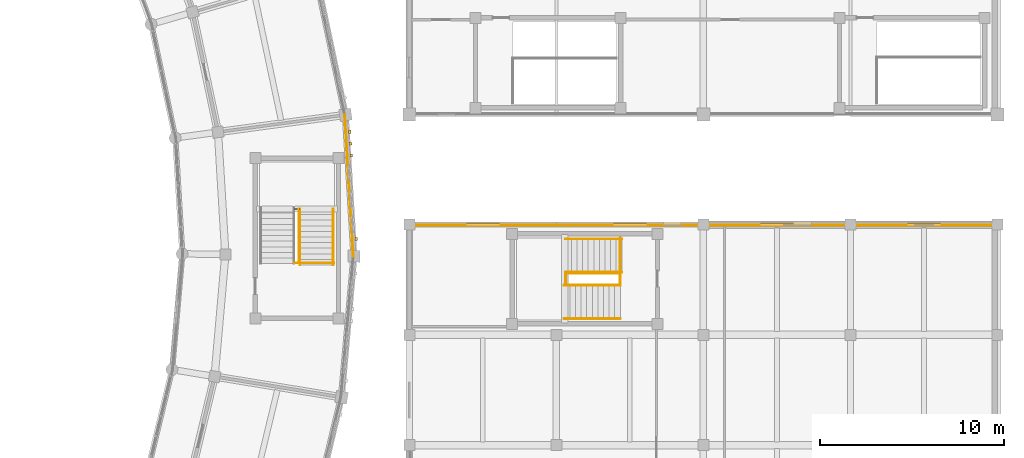
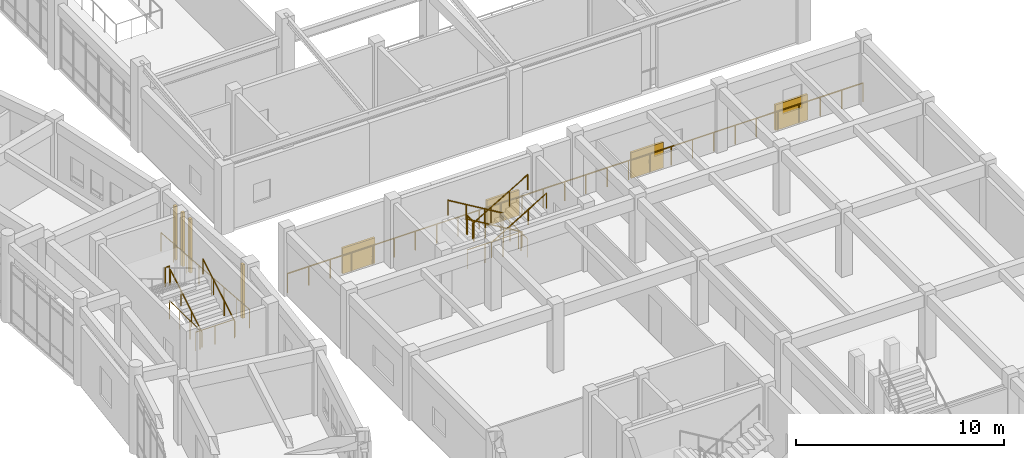
# One storey, part 156 of 159: 14 railings, 4 coverings, 4 shading devices.
"""IFC4 building model written with IfcOpenShell, lengths in metres."""

from ifc_helpers import new_model, si_unit, direction, frame, origin, origin_2d, place, context, subcontext, project, spatial, rectangle, circle, extrude, material, layer, layer_set, type_object, element, save


model = new_model("IFC4")

# Units and contexts
model_context = context("Model", 3, precision=1e-05, world=origin(), true_north=direction((0.0, 1.0)))
body_context = subcontext(model_context, "Body", "Model", "MODEL_VIEW")
ifc_project = project(units=[si_unit("LENGTHUNIT", "METRE"), si_unit("AREAUNIT", "SQUARE_METRE"), si_unit("VOLUMEUNIT", "CUBIC_METRE"), si_unit("PLANEANGLEUNIT", "RADIAN"), si_unit("MASSUNIT", "GRAM", prefix="KILO")], contexts=[model_context])

# Site, building, storey
site_placement = place(None, origin())
site = spatial("IfcSite", under=ifc_project, at=site_placement, CompositionType="ELEMENT")
building_placement = place(site_placement, origin())
building = spatial("IfcBuilding", under=site, at=building_placement, Name="Celadon Cloister-Ring School", CompositionType="ELEMENT")
storey_placement = place(building_placement, frame((0.0, 0.0, 4.5)))
storey = spatial("IfcBuildingStorey", under=building, at=storey_placement, Name="L01", CompositionType="ELEMENT", Elevation=4.5)

# Coverings
ifc_material_1 = material(Name="Perforated terracotta clay brick masonry", Category="masonry")
ifc_layer = layer(ifc_material_1, 0.139892578125)
ifc_layer_set = layer_set([ifc_layer], Name="Perforated terracotta clay brick masonry")
covering_type = type_object("IfcCoveringType", Name="CV-SC1", PredefinedType="CLADDING", material=ifc_layer_set)
for number, where, z_axis, x_axis, name in (
    (1, (138.762939453125, 65.055908203125, 0.0), (0.0, 0.0, 1.0), (0.06028200911, -0.99818138601, 0.0), "Brick Screen Rib 0195"),
    (2, (138.802978515625, 64.407958984375, 0.0), (0.0, 0.0, 1.0), (0.06028200911, -0.99818138601, 0.0), "Brick Screen Rib 0196"),
    (3, (138.842041015625, 63.759033203125, 0.0), (0.0, 0.0, 1.0), (0.06028200911, -0.99818138601, 0.0), "Brick Screen Rib 0197"),
    (4, (139.115966796875, 59.217041015625, 0.0), (0.0, 0.0, 1.0), (0.06028200911, -0.99818138601, 0.0), "Brick Screen Rib 0198"),
):
    element("IfcCovering", number, at=place(storey_placement, frame(where, z_axis=z_axis, x_axis=x_axis)), inside=storey, type_object=covering_type, Name=name, PredefinedType="CLADDING", context=body_context, shape_type="SweptSolid", body=[
        extrude(rectangle(XDim=0.179931640625, YDim=0.139892578125, at=origin_2d()), origin(), (0.0, 0.0, 1.0), 3.152099609375),
    ])

# Railings
ifc_material_2 = material(Name="Structural steel S355JR", Category="steel")
railing_type_1 = type_object("IfcRailingType", Name="RL-BL1", PredefinedType="BALUSTRADE", material=ifc_material_2)
railing_1_placement = place(storey_placement, frame((138.955078125, 58.281982421875, 0.0)))
element("IfcRailing", 5, at=railing_1_placement, inside=storey, type_object=railing_type_1, Name="Terrace Balustrade 0029", PredefinedType="BALUSTRADE", context=body_context, shape_type="SweptSolid", body=[
    extrude(circle(Radius=0.02392578125, at=origin_2d()), frame((0.0, 0.0, 1.09619140625), z_axis=(-0.060289190769, 0.998180952271, 0.0), x_axis=(-0.998180952271, -0.060289190769, 0.0)), (0.0, 0.0, 1.0), 7.697998046875),
    extrude(circle(Radius=0.02099609375, at=origin_2d()), origin(), (0.0, 0.0, 1.0), 1.072021484375),
    extrude(circle(Radius=0.02099609375, at=origin_2d()), frame((-0.06640625, 1.09765625, 0.0)), (0.0, 0.0, 1.0), 1.072021484375),
    extrude(circle(Radius=0.02099609375, at=origin_2d()), frame((-0.132568359375, 2.195556640625, 0.0)), (0.0, 0.0, 1.0), 1.072021484375),
    extrude(circle(Radius=0.02099609375, at=origin_2d()), frame((-0.198974609375, 3.293212890625, 0.0)), (0.0, 0.0, 1.0), 1.072021484375),
    extrude(circle(Radius=0.02099609375, at=origin_2d()), frame((-0.26513671875, 4.390869140625, 0.0)), (0.0, 0.0, 1.0), 1.072021484375),
    extrude(circle(Radius=0.02099609375, at=origin_2d()), frame((-0.33154296875, 5.488525390625, 0.0)), (0.0, 0.0, 1.0), 1.072021484375),
    extrude(circle(Radius=0.02099609375, at=origin_2d()), frame((-0.397705078125, 6.58642578125, 0.0)), (0.0, 0.0, 1.0), 1.072021484375),
    extrude(circle(Radius=0.02099609375, at=origin_2d()), frame((-0.464111328125, 7.68408203125, 0.0)), (0.0, 0.0, 1.0), 1.072021484375),
])
railing_2_placement = place(storey_placement, frame((173.9599609375, 59.9599609375, 0.0)))
element("IfcRailing", 6, at=railing_2_placement, inside=storey, type_object=railing_type_1, Name="Terrace Balustrade 0421", PredefinedType="BALUSTRADE", context=body_context, shape_type="SweptSolid", body=[
    extrude(circle(Radius=0.02392578125, at=origin_2d()), frame((0.0, 0.0, 1.09619140625), z_axis=(-1.0, 0.0, 0.0), x_axis=(0.0, -1.0, 0.0)), (0.0, 0.0, 1.0), 31.919921875),
    extrude(circle(Radius=0.02099609375, at=origin_2d()), origin(), (0.0, 0.0, 1.0), 1.072021484375),
    extrude(circle(Radius=0.02099609375, at=origin_2d()), frame((-1.18212890625, 0.0, 0.0)), (0.0, 0.0, 1.0), 1.072021484375),
    extrude(circle(Radius=0.02099609375, at=origin_2d()), frame((-2.364501953125, 0.0, 0.0)), (0.0, 0.0, 1.0), 1.072021484375),
    extrude(circle(Radius=0.02099609375, at=origin_2d()), frame((-3.546630859375, 0.0, 0.0)), (0.0, 0.0, 1.0), 1.072021484375),
    extrude(circle(Radius=0.02099609375, at=origin_2d()), frame((-4.728759765625, 0.0, 0.0)), (0.0, 0.0, 1.0), 1.072021484375),
    extrude(circle(Radius=0.02099609375, at=origin_2d()), frame((-5.9111328125, 0.0, 0.0)), (0.0, 0.0, 1.0), 1.072021484375),
    extrude(circle(Radius=0.02099609375, at=origin_2d()), frame((-7.09326171875, 0.0, 0.0)), (0.0, 0.0, 1.0), 1.072021484375),
    extrude(circle(Radius=0.02099609375, at=origin_2d()), frame((-8.275634765625, 0.0, 0.0)), (0.0, 0.0, 1.0), 1.072021484375),
    extrude(circle(Radius=0.02099609375, at=origin_2d()), frame((-9.457763671875, 0.0, 0.0)), (0.0, 0.0, 1.0), 1.072021484375),
    extrude(circle(Radius=0.02099609375, at=origin_2d()), frame((-10.639892578125, 0.0, 0.0)), (0.0, 0.0, 1.0), 1.072021484375),
    extrude(circle(Radius=0.02099609375, at=origin_2d()), frame((-11.822265625, 0.0, 0.0)), (0.0, 0.0, 1.0), 1.072021484375),
    extrude(circle(Radius=0.02099609375, at=origin_2d()), frame((-13.00439453125, 0.0, 0.0)), (0.0, 0.0, 1.0), 1.072021484375),
    extrude(circle(Radius=0.02099609375, at=origin_2d()), frame((-14.1865234375, 0.0, 0.0)), (0.0, 0.0, 1.0), 1.072021484375),
    extrude(circle(Radius=0.02099609375, at=origin_2d()), frame((-15.368896484375, 0.0, 0.0)), (0.0, 0.0, 1.0), 1.072021484375),
    extrude(circle(Radius=0.02099609375, at=origin_2d()), frame((-16.551025390625, 0.0, 0.0)), (0.0, 0.0, 1.0), 1.072021484375),
    extrude(circle(Radius=0.02099609375, at=origin_2d()), frame((-17.7333984375, 0.0, 0.0)), (0.0, 0.0, 1.0), 1.072021484375),
    extrude(circle(Radius=0.02099609375, at=origin_2d()), frame((-18.91552734375, 0.0, 0.0)), (0.0, 0.0, 1.0), 1.072021484375),
    extrude(circle(Radius=0.02099609375, at=origin_2d()), frame((-20.09765625, 0.0, 0.0)), (0.0, 0.0, 1.0), 1.072021484375),
    extrude(circle(Radius=0.02099609375, at=origin_2d()), frame((-21.280029296875, 0.0, 0.0)), (0.0, 0.0, 1.0), 1.072021484375),
    extrude(circle(Radius=0.02099609375, at=origin_2d()), frame((-22.462158203125, 0.0, 0.0)), (0.0, 0.0, 1.0), 1.072021484375),
    extrude(circle(Radius=0.02099609375, at=origin_2d()), frame((-23.644287109375, 0.0, 0.0)), (0.0, 0.0, 1.0), 1.072021484375),
    extrude(circle(Radius=0.02099609375, at=origin_2d()), frame((-24.82666015625, 0.0, 0.0)), (0.0, 0.0, 1.0), 1.072021484375),
    extrude(circle(Radius=0.02099609375, at=origin_2d()), frame((-26.0087890625, 0.0, 0.0)), (0.0, 0.0, 1.0), 1.072021484375),
    extrude(circle(Radius=0.02099609375, at=origin_2d()), frame((-27.191162109375, 0.0, 0.0)), (0.0, 0.0, 1.0), 1.072021484375),
    extrude(circle(Radius=0.02099609375, at=origin_2d()), frame((-28.373291015625, 0.0, 0.0)), (0.0, 0.0, 1.0), 1.072021484375),
    extrude(circle(Radius=0.02099609375, at=origin_2d()), frame((-29.555419921875, 0.0, 0.0)), (0.0, 0.0, 1.0), 1.072021484375),
    extrude(circle(Radius=0.02099609375, at=origin_2d()), frame((-30.73779296875, 0.0, 0.0)), (0.0, 0.0, 1.0), 1.072021484375),
    extrude(circle(Radius=0.02099609375, at=origin_2d()), frame((-31.919921875, 0.0, 0.0)), (0.0, 0.0, 1.0), 1.072021484375),
])
ifc_material_3 = material(Name="Structural steel S355JR", Category="steel")
railing_type_2 = type_object("IfcRailingType", Name="RL-BL2", PredefinedType="BALUSTRADE", material=ifc_material_3)
railing_3_placement = place(storey_placement, frame((150.510009765625, 56.739990234375, 2.0)))
element("IfcRailing", 7, at=railing_3_placement, inside=storey, type_object=railing_type_2, Name="Interior Guard 0199", PredefinedType="BALUSTRADE", context=body_context, shape_type="SweptSolid", body=[
    extrude(circle(Radius=0.02392578125, at=origin_2d()), frame((0.0, 0.0, 1.09619140625), z_axis=(0.0, 1.0, 0.0), x_axis=(-1.0, 0.0, 0.0)), (0.0, 0.0, 1.0), 0.6201171875),
    extrude(circle(Radius=0.02099609375, at=origin_2d()), origin(), (0.0, 0.0, 1.0), 1.072021484375),
    extrude(circle(Radius=0.02099609375, at=origin_2d()), frame((0.0, 0.6201171875, 0.0)), (0.0, 0.0, 1.0), 1.072021484375),
])
railing_4_placement = place(storey_placement, frame((153.47998046875, 56.739990234375, 0.0)))
element("IfcRailing", 8, at=railing_4_placement, inside=storey, type_object=railing_type_2, Name="Interior Guard 0200", PredefinedType="BALUSTRADE", context=body_context, shape_type="SweptSolid", body=[
    extrude(circle(Radius=0.02392578125, at=origin_2d()), frame((0.0, 0.0, 1.09619140625), z_axis=(0.0, 1.0, 0.0), x_axis=(-1.0, 0.0, 0.0)), (0.0, 0.0, 1.0), 2.52001953125),
    extrude(circle(Radius=0.02099609375, at=origin_2d()), origin(), (0.0, 0.0, 1.0), 1.072021484375),
    extrude(circle(Radius=0.02099609375, at=origin_2d()), frame((0.0, 0.840087890625, 0.0)), (0.0, 0.0, 1.0), 1.072021484375),
    extrude(circle(Radius=0.02099609375, at=origin_2d()), frame((0.0, 1.679931640625, 0.0)), (0.0, 0.0, 1.0), 1.072021484375),
    extrude(circle(Radius=0.02099609375, at=origin_2d()), frame((0.0, 2.52001953125, 0.0)), (0.0, 0.0, 1.0), 1.072021484375),
])
railing_5_placement = place(storey_placement, frame((153.47998046875, 57.360107421875, 0.0)))
element("IfcRailing", 9, at=railing_5_placement, inside=storey, type_object=railing_type_2, Name="Interior Guard 0201", PredefinedType="BALUSTRADE", context=body_context, shape_type="SweptSolid", body=[
    extrude(circle(Radius=0.02392578125, at=origin_2d()), frame((0.0, 0.0, 1.09619140625), z_axis=(-1.0, 0.0, 0.0), x_axis=(0.0, -1.0, 0.0)), (0.0, 0.0, 1.0), 2.969970703125),
    extrude(circle(Radius=0.02099609375, at=origin_2d()), origin(), (0.0, 0.0, 1.0), 1.072021484375),
    extrude(circle(Radius=0.02099609375, at=origin_2d()), frame((-0.989990234375, 0.0, 0.0)), (0.0, 0.0, 1.0), 1.072021484375),
    extrude(circle(Radius=0.02099609375, at=origin_2d()), frame((-1.97998046875, 0.0, 0.0)), (0.0, 0.0, 1.0), 1.072021484375),
    extrude(circle(Radius=0.02099609375, at=origin_2d()), frame((-2.969970703125, 0.0, 0.0)), (0.0, 0.0, 1.0), 1.072021484375),
])
railing_6_placement = place(storey_placement, frame((135.77001953125, 60.85009765625, 2.0)))
element("IfcRailing", 10, at=railing_6_placement, inside=storey, type_object=railing_type_2, Name="Interior Guard 0262", PredefinedType="BALUSTRADE", context=body_context, shape_type="SweptSolid", body=[
    extrude(circle(Radius=0.02392578125, at=origin_2d()), frame((0.0, 0.0, 1.09619140625), z_axis=(1.0, 0.0, 0.0), x_axis=(0.0, 1.0, 0.0)), (0.0, 0.0, 1.0), 0.239990234375),
    extrude(circle(Radius=0.02099609375, at=origin_2d()), origin(), (0.0, 0.0, 1.0), 1.072021484375),
    extrude(circle(Radius=0.02099609375, at=origin_2d()), frame((0.239990234375, 0.0, 0.0)), (0.0, 0.0, 1.0), 1.072021484375),
])
railing_7_placement = place(storey_placement, frame((135.77001953125, 57.9150390625, 0.0)))
element("IfcRailing", 11, at=railing_7_placement, inside=storey, type_object=railing_type_2, Name="Interior Guard 0263", PredefinedType="BALUSTRADE", context=body_context, shape_type="SweptSolid", body=[
    extrude(circle(Radius=0.02392578125, at=origin_2d()), frame((0.0, 0.0, 1.09619140625), z_axis=(1.0, 0.0, 0.0), x_axis=(0.0, 1.0, 0.0)), (0.0, 0.0, 1.0), 2.139892578125),
    extrude(circle(Radius=0.02099609375, at=origin_2d()), origin(), (0.0, 0.0, 1.0), 1.072021484375),
    extrude(circle(Radius=0.02099609375, at=origin_2d()), frame((1.06982421875, 0.0, 0.0)), (0.0, 0.0, 1.0), 1.072021484375),
    extrude(circle(Radius=0.02099609375, at=origin_2d()), frame((2.139892578125, 0.0, 0.0)), (0.0, 0.0, 1.0), 1.072021484375),
])
railing_8_placement = place(storey_placement, frame((136.010009765625, 57.9150390625, 0.0)))
element("IfcRailing", 12, at=railing_8_placement, inside=storey, type_object=railing_type_2, Name="Interior Guard 0264", PredefinedType="BALUSTRADE", context=body_context, shape_type="SweptSolid", body=[
    extrude(circle(Radius=0.02392578125, at=origin_2d()), frame((0.0, 0.0, 1.09619140625), z_axis=(0.0, 1.0, 0.0), x_axis=(-1.0, 0.0, 0.0)), (0.0, 0.0, 1.0), 2.93505859375),
    extrude(circle(Radius=0.02099609375, at=origin_2d()), origin(), (0.0, 0.0, 1.0), 1.072021484375),
    extrude(circle(Radius=0.02099609375, at=origin_2d()), frame((0.0, 0.978271484375, 0.0)), (0.0, 0.0, 1.0), 1.072021484375),
    extrude(circle(Radius=0.02099609375, at=origin_2d()), frame((0.0, 1.956787109375, 0.0)), (0.0, 0.0, 1.0), 1.072021484375),
    extrude(circle(Radius=0.02099609375, at=origin_2d()), frame((0.0, 2.93505859375, 0.0)), (0.0, 0.0, 1.0), 1.072021484375),
])
ifc_material_4 = material(Name="Structural steel S355JR", Category="steel")
railing_type_3 = type_object("IfcRailingType", Name="RL-HR1", PredefinedType="HANDRAIL", material=ifc_material_4)
for number, where, name in (
    (13, (153.56005859375, 59.215087890625, 0.181884765625), "Stair Handrail 0195"),
    (14, (153.56005859375, 57.405029296875, 0.181884765625), "Stair Handrail 0196"),
):
    element("IfcRailing", number, at=place(storey_placement, frame(where)), inside=storey, type_object=railing_type_3, Name=name, PredefinedType="HANDRAIL", context=body_context, shape_type="SweptSolid", body=[
        extrude(circle(Radius=0.02099609375, at=origin_2d()), frame((0.0, 0.0, 0.87890625), z_axis=(-0.858969654429, 0.0, 0.51202649616), x_axis=(0.0, -1.0, 0.0)), (0.0, 0.0, 1.0), 3.55078125),
        extrude(circle(Radius=0.01806640625, at=origin_2d()), origin(), (0.0, 0.0, 1.0), 0.85791015625),
        extrude(circle(Radius=0.01806640625, at=origin_2d()), frame((-1.0166015625, 0.0, 0.60595703125)), (0.0, 0.0, 1.0), 0.85791015625),
        extrude(circle(Radius=0.01806640625, at=origin_2d()), frame((-2.033447265625, 0.0, 1.212158203125)), (0.0, 0.0, 1.0), 0.85791015625),
        extrude(circle(Radius=0.01806640625, at=origin_2d()), frame((-3.050048828125, 0.0, 1.818115234375)), (0.0, 0.0, 1.0), 0.85791015625),
    ])
for number, where, name in (
    (15, (150.429931640625, 54.885009765625, 2.181884765625), "Stair Handrail 0197"),
    (16, (150.429931640625, 56.695068359375, 2.181884765625), "Stair Handrail 0198"),
):
    element("IfcRailing", number, at=place(storey_placement, frame(where)), inside=storey, type_object=railing_type_3, Name=name, PredefinedType="HANDRAIL", context=body_context, shape_type="SweptSolid", body=[
        extrude(circle(Radius=0.02099609375, at=origin_2d()), frame((0.0, 0.0, 0.87890625), z_axis=(0.858969654429, 0.0, 0.51202649616), x_axis=(0.0, 1.0, 0.0)), (0.0, 0.0, 1.0), 3.55078125),
        extrude(circle(Radius=0.01806640625, at=origin_2d()), origin(), (0.0, 0.0, 1.0), 0.85791015625),
        extrude(circle(Radius=0.01806640625, at=origin_2d()), frame((1.0166015625, 0.0, 0.60595703125)), (0.0, 0.0, 1.0), 0.85791015625),
        extrude(circle(Radius=0.01806640625, at=origin_2d()), frame((2.033447265625, 0.0, 1.212158203125)), (0.0, 0.0, 1.0), 0.85791015625),
        extrude(circle(Radius=0.01806640625, at=origin_2d()), frame((3.050048828125, 0.0, 1.818115234375)), (0.0, 0.0, 1.0), 0.85791015625),
    ])
for number, where, name in (
    (17, (137.864990234375, 57.800048828125, 0.181884765625), "Stair Handrail 0258"),
    (18, (136.054931640625, 57.800048828125, 0.181884765625), "Stair Handrail 0259"),
):
    element("IfcRailing", number, at=place(storey_placement, frame(where)), inside=storey, type_object=railing_type_3, Name=name, PredefinedType="HANDRAIL", context=body_context, shape_type="SweptSolid", body=[
        extrude(circle(Radius=0.02099609375, at=origin_2d()), frame((0.0, 0.0, 0.87890625), z_axis=(0.0, 0.858969654429, 0.51202649616), x_axis=(-1.0, 0.0, 0.0)), (0.0, 0.0, 1.0), 3.55078125),
        extrude(circle(Radius=0.01806640625, at=origin_2d()), origin(), (0.0, 0.0, 1.0), 0.85791015625),
        extrude(circle(Radius=0.01806640625, at=origin_2d()), frame((0.0, 1.0166015625, 0.60595703125)), (0.0, 0.0, 1.0), 0.85791015625),
        extrude(circle(Radius=0.01806640625, at=origin_2d()), frame((0.0, 2.033447265625, 1.212158203125)), (0.0, 0.0, 1.0), 0.85791015625),
        extrude(circle(Radius=0.01806640625, at=origin_2d()), frame((0.0, 3.050048828125, 1.818115234375)), (0.0, 0.0, 1.0), 0.85791015625),
    ])

# Shading devices
ifc_material_5 = material(Name="Glazed celadon architectural terracotta", Category="masonry")
shading_device_type = type_object("IfcShadingDeviceType", Name="SD-03", PredefinedType="JALOUSIE", material=ifc_material_5)
for number, where, z_axis, x_axis, name in (
    (19, (146.0, 60.02001953125, 0.0), (0.0, 0.0, 1.0), (1.0, 0.0, 0.0), "Ventanilla Jalousie Screen 04"),
    (20, (154.0, 60.02001953125, 0.0), (0.0, 0.0, 1.0), (1.0, 0.0, 0.0), "Ventanilla Jalousie Screen 05"),
    (21, (162.0, 60.02001953125, 0.0), (0.0, 0.0, 1.0), (1.0, 0.0, 0.0), "Ventanilla Jalousie Screen 06"),
    (22, (170.0, 60.02001953125, 0.0), (0.0, 0.0, 1.0), (1.0, 0.0, 0.0), "Ventanilla Jalousie Screen 07"),
):
    element("IfcShadingDevice", number, at=place(storey_placement, frame(where, z_axis=z_axis, x_axis=x_axis)), inside=storey, type_object=shading_device_type, Name=name, PredefinedType="JALOUSIE", context=body_context, shape_type="SweptSolid", body=[
        extrude(rectangle(XDim=1.800048828125, YDim=0.1201171875, at=origin_2d()), origin(), (0.0, 0.0, 1.0), 1.5),
    ])

save(model, "model.ifc")
